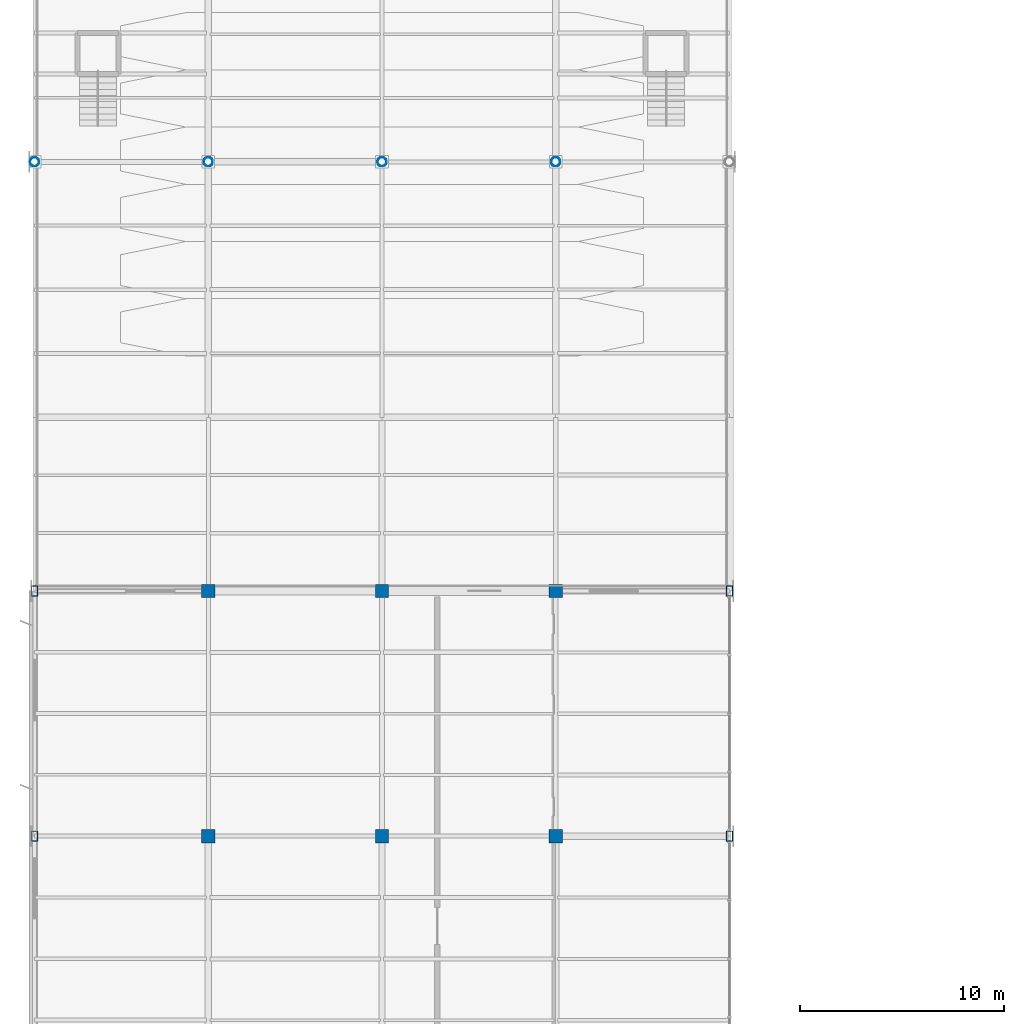
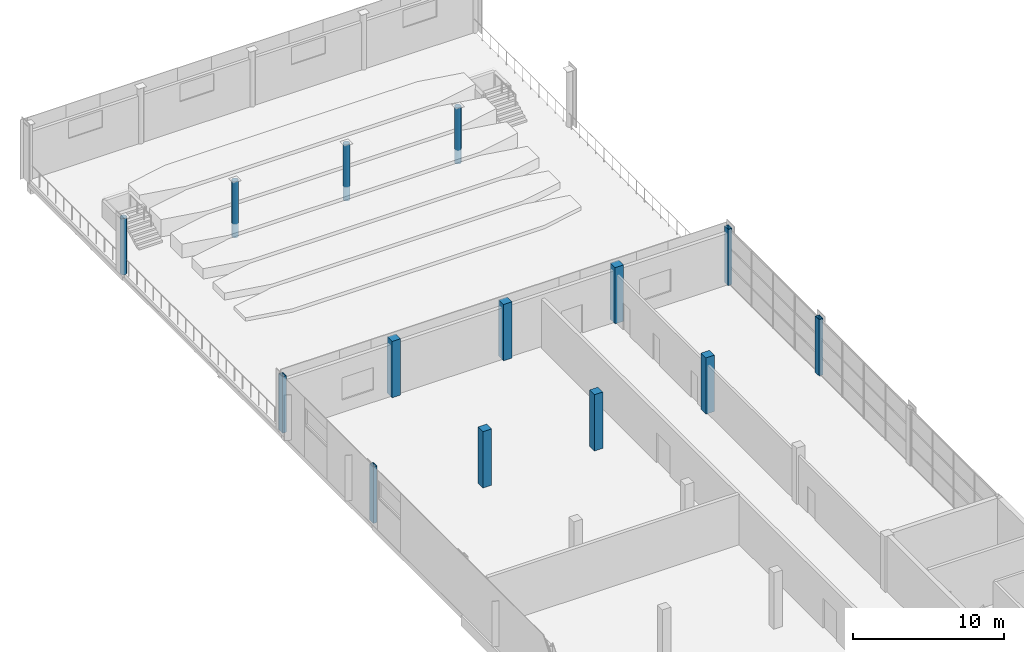
# One storey, part 5 of 86: 14 columns.
"""IFC4 building model written with IfcOpenShell, lengths in metres."""

from ifc_helpers import new_model, si_unit, direction, frame, origin, origin_2d, place, context, subcontext, project, spatial, rectangle, hollow_rectangle, hollow_circle, extrude, material, material_profile, profile_set, type_object, element, save


model = new_model("IFC4")

# Units and contexts
model_context = context("Model", 3, precision=1e-05, world=origin(), true_north=direction((0.0, 1.0)))
body_context = subcontext(model_context, "Body", "Model", "MODEL_VIEW")
ifc_project = project(units=[si_unit("LENGTHUNIT", "METRE"), si_unit("AREAUNIT", "SQUARE_METRE"), si_unit("VOLUMEUNIT", "CUBIC_METRE"), si_unit("PLANEANGLEUNIT", "RADIAN"), si_unit("MASSUNIT", "GRAM", prefix="KILO")], contexts=[model_context])

# Site, building, storey
site_placement = place(None, origin())
site = spatial("IfcSite", under=ifc_project, at=site_placement, CompositionType="ELEMENT")
building_placement = place(site_placement, origin())
building = spatial("IfcBuilding", under=site, at=building_placement, Name="Solvikara Media Centre", CompositionType="ELEMENT")
storey_placement = place(building_placement, frame((0.0, 0.0, 15.0)))
storey = spatial("IfcBuildingStorey", under=building, at=storey_placement, Name="L03", CompositionType="ELEMENT", Elevation=15.0)

# Columns
ifc_material_1 = material(Name="Concrete fc' 45 MPa (C45/55)", Category="concrete")
ifc_material_profile_1 = material_profile(ifc_material_1, rectangle(XDim=0.64990234375, YDim=0.64990234375, at=origin_2d()), Name="RC 650x650")
ifc_profile_set_1 = profile_set([ifc_material_profile_1], Name="Concrete fc' 45 MPa (C45/55)")
column_type_1 = type_object("IfcColumnType", Name="CL-02", PredefinedType="COLUMN", material=ifc_profile_set_1)
for number, where, z_axis, x_axis, name in (
    (1, (8.5, 68.5, 0.0), (0.0, 0.0, 1.0), (1.0, 0.0, 0.0), "C-L03-0085-0685"),
    (2, (8.5, 80.5, 0.0), (0.0, 0.0, 1.0), (1.0, 0.0, 0.0), "C-L03-0085-0805"),
    (3, (17.0, 68.5, 0.0), (0.0, 0.0, 1.0), (1.0, 0.0, 0.0), "C-L03-0170-0685"),
    (4, (17.0, 80.5, 0.0), (0.0, 0.0, 1.0), (1.0, 0.0, 0.0), "C-L03-0170-0805"),
    (5, (25.5, 68.5, 0.0), (0.0, 0.0, 1.0), (1.0, 0.0, 0.0), "C-L03-0255-0685"),
    (6, (25.5, 80.5, 0.0), (0.0, 0.0, 1.0), (1.0, 0.0, 0.0), "C-L03-0255-0805"),
):
    element("IfcColumn", number, at=place(storey_placement, frame(where, z_axis=z_axis, x_axis=x_axis)), inside=storey, type_object=column_type_1, Name=name, PredefinedType="COLUMN", context=body_context, shape_type="SweptSolid", body=[
        extrude(rectangle(XDim=0.64990234375, YDim=0.64990234375, at=origin_2d()), origin(), (0.0, 0.0, 1.0), 4.5400390625),
    ])
ifc_material_2 = material(Name="Steel S355JR", Category="steel")
ifc_material_profile_2 = material_profile(ifc_material_2, hollow_circle(Radius=0.228515625, WallThickness=0.01611328125, at=origin_2d()), Name="CHS 457x16")
ifc_profile_set_2 = profile_set([ifc_material_profile_2], Name="Steel S355JR")
column_type_2 = type_object("IfcColumnType", Name="CL-26", PredefinedType="COLUMN", material=ifc_profile_set_2)
for number, where, z_axis, x_axis, name in (
    (7, (0.0, 101.5, 0.0), (0.0, 0.0, 1.0), (1.0, 0.0, 0.0), "C-L03-0000-1015"),
    (8, (8.5, 101.5, 0.0), (0.0, 0.0, 1.0), (1.0, 0.0, 0.0), "C-L03-0085-1015"),
    (9, (17.0, 101.5, 0.0), (0.0, 0.0, 1.0), (1.0, 0.0, 0.0), "C-L03-0170-1015"),
    (10, (25.5, 101.5, 0.0), (0.0, 0.0, 1.0), (1.0, 0.0, 0.0), "C-L03-0255-1015"),
):
    element("IfcColumn", number, at=place(storey_placement, frame(where, z_axis=z_axis, x_axis=x_axis)), inside=storey, type_object=column_type_2, Name=name, PredefinedType="COLUMN", context=body_context, shape_type="SweptSolid", body=[
        extrude(hollow_circle(Radius=0.228515625, WallThickness=0.01611328125, at=origin_2d()), origin(), (0.0, 0.0, 1.0), 4.5400390625),
    ])
ifc_material_profile_3 = material_profile(ifc_material_2, hollow_rectangle(XDim=0.300048828125, YDim=0.5, WallThickness=0.01611328125, at=origin_2d()), Name="RHS 500x300x16")
ifc_profile_set_3 = profile_set([ifc_material_profile_3], Name="Steel S355JR")
column_type_3 = type_object("IfcColumnType", Name="CL-28", PredefinedType="COLUMN", material=ifc_profile_set_3)
for number, where, z_axis, x_axis, name in (
    (11, (0.0, 68.5, 0.0), (0.0, 0.0, 1.0), (1.0, 0.0, 0.0), "C-L03-0000-0685"),
    (12, (0.0, 80.5, 0.0), (0.0, 0.0, 1.0), (1.0, 0.0, 0.0), "C-L03-0000-0805"),
    (13, (34.0, 68.5, 0.0), (0.0, 0.0, 1.0), (1.0, 0.0, 0.0), "C-L03-0340-0685"),
    (14, (34.0, 80.5, 0.0), (0.0, 0.0, 1.0), (1.0, 0.0, 0.0), "C-L03-0340-0805"),
):
    element("IfcColumn", number, at=place(storey_placement, frame(where, z_axis=z_axis, x_axis=x_axis)), inside=storey, type_object=column_type_3, Name=name, PredefinedType="COLUMN", context=body_context, shape_type="SweptSolid", body=[
        extrude(hollow_rectangle(XDim=0.300048828125, YDim=0.5, WallThickness=0.01611328125, at=origin_2d()), origin(), (0.0, 0.0, 1.0), 4.5400390625),
    ])

save(model, "model.ifc")
